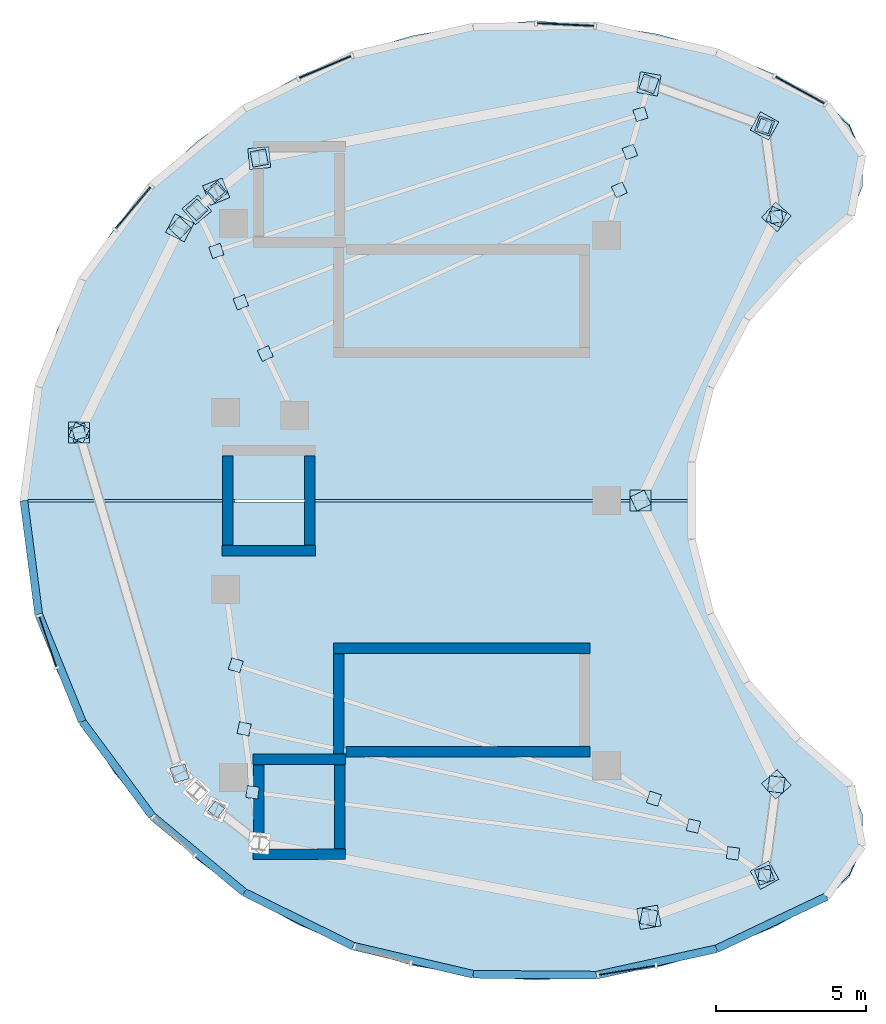
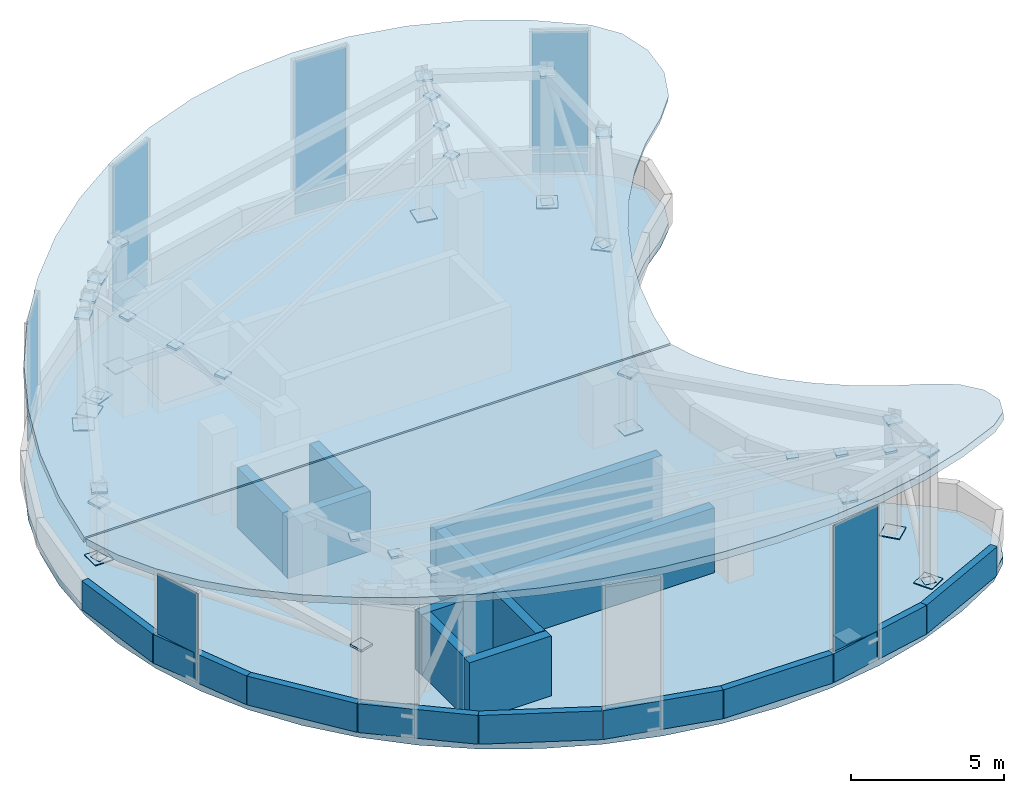
# One storey, part 3 of 4: 56 plates, 19 walls, 3 slabs, 6 elements without a shape of their own.
"""IFC4 building model written with IfcOpenShell, lengths in metres."""

from ifc_helpers import new_model, si_unit, direction, frame, frame_2d, origin, origin_2d, place, context, subcontext, project, spatial, polyline, rectangle, outline, extrude, material, layer, layer_set, type_object, element, aggregate, save


model = new_model("IFC4")

# Units and contexts
model_context = context("Model", 3, precision=1e-05, world=origin(), true_north=direction((0.0, 1.0)))
body_context = subcontext(model_context, "Body", "Model", "MODEL_VIEW")
ifc_project = project(units=[si_unit("LENGTHUNIT", "METRE"), si_unit("AREAUNIT", "SQUARE_METRE"), si_unit("VOLUMEUNIT", "CUBIC_METRE"), si_unit("PLANEANGLEUNIT", "RADIAN"), si_unit("MASSUNIT", "GRAM", prefix="KILO")], contexts=[model_context])

# Site, building, storey
site_placement = place(None, origin())
site = spatial("IfcSite", under=ifc_project, at=site_placement, CompositionType="ELEMENT")
building_placement = place(site_placement, origin())
building = spatial("IfcBuilding", under=site, at=building_placement, Name="Korentha Bioscience Tower", CompositionType="ELEMENT")
storey_placement = place(building_placement, frame((0.0, 0.0, 343.800048828125)))
storey = spatial("IfcBuildingStorey", under=building, at=storey_placement, Name="RF", CompositionType="ELEMENT", Elevation=343.800048828125)

# Slab
ifc_material_1 = material(Name="Concrete C50", Category="concrete")
ifc_layer_1 = layer(ifc_material_1, 0.280029296875, Name="Concrete C50")
ifc_layer_set_1 = layer_set([ifc_layer_1], Name="Concrete C50 (RF-D280)")
slab_type_1 = type_object("IfcSlabType", Name="Crown Mechanical Roof Deck Slab 280", PredefinedType="ROOF", material=ifc_layer_set_1)
slab_1_placement = place(storey_placement, frame((0.0, 0.0, -0.280029296875)))
element("IfcSlab", 1, at=slab_1_placement, inside=storey, type_object=slab_type_1, Name="RF Crown Mechanical Roof Deck Slab", PredefinedType="ROOF", context=body_context, shape_type="SweptSolid", body=[
    extrude(outline(polyline([(44.890380859375, 40.20654296875), (43.113525390625, 41.1796875), (41.2236328125, 41.947998046875), (39.248046875, 42.50048828125), (37.21533203125, 42.829345703125), (35.15478515625, 42.929443359375), (33.09619140625, 42.7998046875), (31.069091796875, 42.441650390625), (29.10302734375, 41.86083984375), (27.226318359375, 41.0654296875), (25.4658203125, 40.06689453125), (23.847412109375, 38.87939453125), (22.393798828125, 37.520751953125), (21.126708984375, 36.010009765625), (20.06396484375, 34.369384765625), (19.220947265625, 32.622314453125), (18.610107421875, 30.793701171875), (18.239990234375, 28.91064453125), (18.115966796875, 27.0), (18.239990234375, 25.08935546875), (18.610107421875, 23.206298828125), (19.220947265625, 21.377685546875), (20.06396484375, 19.630615234375), (21.126708984375, 17.989990234375), (22.393798828125, 16.479248046875), (23.847412109375, 15.12060546875), (25.4658203125, 13.93310546875), (27.226318359375, 12.9345703125), (29.10302734375, 12.13916015625), (31.069091796875, 11.558349609375), (33.09619140625, 11.2001953125), (35.15478515625, 11.070556640625), (37.21533203125, 11.170654296875), (39.248046875, 11.49951171875), (41.2236328125, 12.052001953125), (43.113525390625, 12.8203125), (44.890380859375, 13.79345703125), (45.64990234375, 14.51220703125), (46.0712890625, 15.46923828125), (46.08935546875, 16.514892578125), (45.70068359375, 17.485595703125), (44.966552734375, 18.22998046875), (43.94189453125, 19.016357421875), (43.0205078125, 19.921630859375), (42.216552734375, 20.9326171875), (41.541748046875, 22.03369140625), (41.006103515625, 23.208984375), (40.61767578125, 24.44091796875), (40.38232421875, 25.710693359375), (40.303466796875, 27.0), (40.38232421875, 28.289306640625), (40.61767578125, 29.55908203125), (41.006103515625, 30.791015625), (41.541748046875, 31.96630859375), (42.216552734375, 33.0673828125), (43.0205078125, 34.078369140625), (43.94189453125, 34.983642578125), (44.966552734375, 35.77001953125), (45.70068359375, 36.514404296875), (46.08935546875, 37.485107421875), (46.0712890625, 38.53076171875), (45.64990234375, 39.48779296875), (44.890380859375, 40.20654296875)]), holes=[polyline([(26.199951171875, 15.449951171875), (28.39990234375, 15.449951171875), (28.39990234375, 18.14990234375), (26.199951171875, 18.14990234375), (26.199951171875, 15.449951171875)]), polyline([(26.199951171875, 35.85009765625), (28.39990234375, 35.85009765625), (28.39990234375, 38.550048828125), (26.199951171875, 38.550048828125), (26.199951171875, 35.85009765625)]), polyline([(25.14990234375, 25.550048828125), (27.550048828125, 25.550048828125), (27.550048828125, 28.449951171875), (25.14990234375, 28.449951171875), (25.14990234375, 25.550048828125)])]), origin(), (0.0, 0.0, 1.0), 0.280029296875),
])

# Plates
ifc_material_2 = material(Name="Steel S355", Category="steel")
ifc_layer_2 = layer(ifc_material_2, 0.034912109375, Name="Steel S355")
ifc_layer_set_2 = layer_set([ifc_layer_2], Name="Steel S355 (BP-01)")
plate_type_1 = type_object("IfcPlateType", Name="Crown Strut Base Plate 700x700x35", PredefinedType="USERDEFINED", material=ifc_layer_set_2)
for number, where, z_axis, x_axis, name in (
    (2, (42.8193359375, 39.493896484375, 0.00048828125), (0.0, 0.0, 1.0), (-0.874535078577, 0.484962262797, 0.0), "RF Crown Post Base Plate BP-01"),
    (3, (38.962646484375, 40.898193359375, 0.00048828125), (0.0, 0.0, 1.0), (-0.984868307662, 0.173304404339, 0.0), "RF Crown Post Base Plate BP-02"),
    (4, (25.9658203125, 38.424560546875, 0.00048828125), (0.0, 0.0, 1.0), (0.995462868748, 0.095150811579, 0.0), "RF Crown Post Base Plate BP-03"),
    (5, (24.53271484375, 37.302490234375, 0.00048828125), (0.0, 0.0, 1.0), (0.930225540858, 0.366988341962, 0.0), "RF Crown Post Base Plate BP-04"),
    (6, (23.883056640625, 36.6953125, 0.00048828125), (0.0, 0.0, 1.0), (0.764246456939, 0.644924300253, 0.0), "RF Crown Post Base Plate BP-05"),
    (7, (23.314697265625, 36.097900390625, 0.00048828125), (0.0, 0.0, 1.0), (0.453057191132, 0.891481453292, 0.0), "RF Crown Post Base Plate BP-06"),
    (8, (19.96044921875, 29.26416015625, 0.00048828125), (0.0, 0.0, 1.0), (0.0, 1.0, 0.0), "RF Crown Post Base Plate BP-07"),
    (9, (38.962646484375, 13.101806640625, 0.00048828125), (0.0, 0.0, 1.0), (0.984868307662, 0.173304404339, 0.0), "RF Crown Post Base Plate BP-12"),
    (10, (42.8193359375, 14.506103515625, 0.00048828125), (0.0, 0.0, 1.0), (0.874535078577, 0.484962262797, 0.0), "RF Crown Post Base Plate BP-13"),
    (11, (43.214111328125, 17.532958984375, 0.00048828125), (0.0, 0.0, 1.0), (-0.669130606359, 0.743144825477, 0.0), "RF Crown Post Base Plate BP-14"),
    (12, (38.6865234375, 27.0, 0.00048828125), (0.0, 0.0, 1.0), (0.0, 1.0, 0.0), "RF Crown Post Base Plate BP-15"),
    (13, (43.214111328125, 36.467041015625, 0.00048828125), (0.0, 0.0, 1.0), (0.669130606359, 0.743144825477, 0.0), "RF Crown Post Base Plate BP-16"),
):
    element("IfcPlate", number, at=place(storey_placement, frame(where, z_axis=z_axis, x_axis=x_axis)), inside=storey, type_object=plate_type_1, Name=name, ObjectType="STIFFENER_PLATE", PredefinedType="USERDEFINED", context=body_context, shape_type="SweptSolid", body=[
        extrude(rectangle(XDim=0.699951171875, YDim=0.699951171875, at=origin_2d()), origin(), (0.0, 0.0, 1.0), 0.034912109375),
    ])

# Curtain wall, plates
ifc_material_3 = material(Name="Thermally Broken Aluminium Frame", Category="aluminium")
ifc_layer_3 = layer(ifc_material_3, 0.219970703125, Name="Thermally Broken Aluminium Frame")
ifc_layer_set_3 = layer_set([ifc_layer_3], Name="Thermally Broken Aluminium Frame (CW-C1)")
curtain_wall_type = type_object("IfcCurtainWallType", Name="Stepped Glazed-Frame Crown Curtain Wall CW-C1", PredefinedType="USERDEFINED", material=ifc_layer_set_3)
curtain_wall_1_placement = place(storey_placement, origin())
curtain_wall_1 = element("IfcCurtainWall", 14, at=curtain_wall_1_placement, inside=storey, type_object=curtain_wall_type, Name="RF Crown Curtain Wall 01", ObjectType="CROWN_GLAZING", PredefinedType="USERDEFINED")
ifc_material_4 = material(Name="Triple-Glazed Low-E Insulated Glass", Category="glass")
ifc_layer_4 = layer(ifc_material_4, 0.0439453125, Name="Triple-Glazed Low-E Insulated Glass")
ifc_layer_set_4 = layer_set([ifc_layer_4], Name="Triple-Glazed Low-E Insulated Glass (GL-44)")
plate_type_2 = type_object("IfcPlateType", Name="Glazed Panel 44mm", PredefinedType="CURTAIN_PANEL", material=ifc_layer_set_4)
plate_1_placement = place(storey_placement, frame((44.001953125, 40.693115234375, 0.08984375), z_axis=(0.0, 0.0, 1.0), x_axis=(-0.877088841043, 0.480328184597, 0.0)))
plate_1 = element("IfcPlate", 15, at=plate_1_placement, type_object=plate_type_2, Name="CW-RF-CR-01 Bay 1 Glazed Panel 1", PredefinedType="CURTAIN_PANEL", context=body_context, shape_type="SweptSolid", body=[
    extrude(rectangle(XDim=1.845947265625, YDim=0.0439453125, at=origin_2d()), origin(), (0.0, 0.0, 1.0), 0.715087890625),
])
plate_2_placement = place(storey_placement, frame((44.001953125, 40.693115234375, 0.89501953125), z_axis=(0.0, 0.0, 1.0), x_axis=(-0.877088841043, 0.480328184597, 0.0)))
plate_2 = element("IfcPlate", 16, at=plate_2_placement, type_object=plate_type_2, Name="CW-RF-CR-01 Bay 1 Glazed Panel 2", PredefinedType="CURTAIN_PANEL", context=body_context, shape_type="SweptSolid", body=[
    extrude(rectangle(XDim=1.845947265625, YDim=0.0439453125, at=origin_2d()), origin(), (0.0, 0.0, 1.0), 4.814208984375),
])
aggregate(curtain_wall_1, [plate_1, plate_2])

curtain_wall_2_placement = place(storey_placement, origin())
curtain_wall_2 = element("IfcCurtainWall", 17, at=curtain_wall_2_placement, inside=storey, type_object=curtain_wall_type, Name="RF Crown Curtain Wall 02", ObjectType="CROWN_GLAZING", PredefinedType="USERDEFINED")
plate_3_placement = place(storey_placement, frame((36.18505859375, 42.87939453125, 0.08984375), z_axis=(0.0, 0.0, 1.0), x_axis=(-0.998819818758, 0.048569225393, 0.0)))
plate_3 = element("IfcPlate", 18, at=plate_3_placement, type_object=plate_type_2, Name="CW-RF-CR-02 Bay 1 Glazed Panel 1", PredefinedType="CURTAIN_PANEL", context=body_context, shape_type="SweptSolid", body=[
    extrude(rectangle(XDim=1.883056640625, YDim=0.0439453125, at=origin_2d()), origin(), (0.0, 0.0, 1.0), 0.715087890625),
])
plate_4_placement = place(storey_placement, frame((36.18505859375, 42.87939453125, 0.89501953125), z_axis=(0.0, 0.0, 1.0), x_axis=(-0.998819818758, 0.048569225393, 0.0)))
plate_4 = element("IfcPlate", 19, at=plate_4_placement, type_object=plate_type_2, Name="CW-RF-CR-02 Bay 1 Glazed Panel 2", PredefinedType="CURTAIN_PANEL", context=body_context, shape_type="SweptSolid", body=[
    extrude(rectangle(XDim=1.883056640625, YDim=0.0439453125, at=origin_2d()), origin(), (0.0, 0.0, 1.0), 5.335693359375),
])
aggregate(curtain_wall_2, [plate_3, plate_4])

curtain_wall_3_placement = place(storey_placement, origin())
curtain_wall_3 = element("IfcCurtainWall", 20, at=curtain_wall_3_placement, inside=storey, type_object=curtain_wall_type, Name="RF Crown Curtain Wall 03", ObjectType="CROWN_GLAZING", PredefinedType="USERDEFINED")
plate_5_placement = place(storey_placement, frame((28.16455078125, 41.463134765625, 0.08984375), z_axis=(0.0, 0.0, 1.0), x_axis=(-0.920726030578, -0.390209657255, 0.0)))
plate_5 = element("IfcPlate", 21, at=plate_5_placement, type_object=plate_type_2, Name="CW-RF-CR-03 Bay 1 Glazed Panel 1", PredefinedType="CURTAIN_PANEL", context=body_context, shape_type="SweptSolid", body=[
    extrude(rectangle(XDim=1.8583984375, YDim=0.0439453125, at=origin_2d()), origin(), (0.0, 0.0, 1.0), 0.715087890625),
])
plate_6_placement = place(storey_placement, frame((28.16455078125, 41.463134765625, 0.89501953125), z_axis=(0.0, 0.0, 1.0), x_axis=(-0.920726030578, -0.390209657255, 0.0)))
plate_6 = element("IfcPlate", 22, at=plate_6_placement, type_object=plate_type_2, Name="CW-RF-CR-03 Bay 1 Glazed Panel 2", PredefinedType="CURTAIN_PANEL", context=body_context, shape_type="SweptSolid", body=[
    extrude(rectangle(XDim=1.8583984375, YDim=0.0439453125, at=origin_2d()), origin(), (0.0, 0.0, 1.0), 4.997802734375),
])
aggregate(curtain_wall_3, [plate_5, plate_6])

curtain_wall_4_placement = place(storey_placement, origin())
curtain_wall_4 = element("IfcCurtainWall", 23, at=curtain_wall_4_placement, inside=storey, type_object=curtain_wall_type, Name="RF Crown Curtain Wall 04", ObjectType="CROWN_GLAZING", PredefinedType="USERDEFINED")
plate_7_placement = place(storey_placement, frame((21.76025390625, 36.765380859375, 0.08984375), z_axis=(0.0, 0.0, 1.0), x_axis=(-0.642660280406, -0.766151267041, 0.0)))
plate_7 = element("IfcPlate", 24, at=plate_7_placement, type_object=plate_type_2, Name="CW-RF-CR-04 Bay 1 Glazed Panel 1", PredefinedType="CURTAIN_PANEL", context=body_context, shape_type="SweptSolid", body=[
    extrude(rectangle(XDim=1.791748046875, YDim=0.0439453125, at=origin_2d()), origin(), (0.0, 0.0, 1.0), 0.715087890625),
])
plate_8_placement = place(storey_placement, frame((21.76025390625, 36.765380859375, 0.89501953125), z_axis=(0.0, 0.0, 1.0), x_axis=(-0.642660280406, -0.766151267041, 0.0)))
plate_8 = element("IfcPlate", 25, at=plate_8_placement, type_object=plate_type_2, Name="CW-RF-CR-04 Bay 1 Glazed Panel 2", PredefinedType="CURTAIN_PANEL", context=body_context, shape_type="SweptSolid", body=[
    extrude(rectangle(XDim=1.791748046875, YDim=0.0439453125, at=origin_2d()), origin(), (0.0, 0.0, 1.0), 3.877197265625),
])
aggregate(curtain_wall_4, [plate_7, plate_8])

curtain_wall_5_placement = place(storey_placement, origin())
curtain_wall_5 = element("IfcCurtainWall", 26, at=curtain_wall_5_placement, inside=storey, type_object=curtain_wall_type, Name="RF Crown Curtain Wall 05", ObjectType="CROWN_GLAZING", PredefinedType="USERDEFINED")
plate_9_placement = place(storey_placement, frame((18.91552734375, 22.2919921875, 0.08984375), z_axis=(0.0, 0.0, 1.0), x_axis=(0.316896858972, -0.948460004836, 0.0)))
plate_9 = element("IfcPlate", 27, at=plate_9_placement, type_object=plate_type_2, Name="CW-RF-CR-05 Bay 1 Glazed Panel 1", PredefinedType="CURTAIN_PANEL", context=body_context, shape_type="SweptSolid", body=[
    extrude(rectangle(XDim=1.747802734375, YDim=0.0439453125, at=origin_2d()), origin(), (0.0, 0.0, 1.0), 0.715087890625),
])
plate_10_placement = place(storey_placement, frame((18.91552734375, 22.2919921875, 0.89501953125), z_axis=(0.0, 0.0, 1.0), x_axis=(0.316896858972, -0.948460004836, 0.0)))
plate_10 = element("IfcPlate", 28, at=plate_10_placement, type_object=plate_type_2, Name="CW-RF-CR-05 Bay 1 Glazed Panel 2", PredefinedType="CURTAIN_PANEL", context=body_context, shape_type="SweptSolid", body=[
    extrude(rectangle(XDim=1.747802734375, YDim=0.0439453125, at=origin_2d()), origin(), (0.0, 0.0, 1.0), 2.6708984375),
])
aggregate(curtain_wall_5, [plate_9, plate_10])

curtain_wall_6_placement = place(storey_placement, origin())
curtain_wall_6 = element("IfcCurtainWall", 29, at=curtain_wall_6_placement, inside=storey, type_object=curtain_wall_type, Name="RF Crown Curtain Wall 08", ObjectType="CROWN_GLAZING", PredefinedType="USERDEFINED")
plate_11_placement = place(storey_placement, frame((38.231689453125, 11.3349609375, 0.08984375), z_axis=(0.0, 0.0, 1.0), x_axis=(0.98717651646, 0.1596324696, 0.0)))
plate_11 = element("IfcPlate", 30, at=plate_11_placement, type_object=plate_type_2, Name="CW-RF-CR-08 Bay 1 Glazed Panel 1", PredefinedType="CURTAIN_PANEL", context=body_context, shape_type="SweptSolid", body=[
    extrude(rectangle(XDim=1.879150390625, YDim=0.0439453125, at=origin_2d()), origin(), (0.0, 0.0, 1.0), 0.715087890625),
])
plate_12_placement = place(storey_placement, frame((38.231689453125, 11.3349609375, 0.89501953125), z_axis=(0.0, 0.0, 1.0), x_axis=(0.98717651646, 0.1596324696, 0.0)))
plate_12 = element("IfcPlate", 31, at=plate_12_placement, type_object=plate_type_2, Name="CW-RF-CR-08 Bay 1 Glazed Panel 2", PredefinedType="CURTAIN_PANEL", context=body_context, shape_type="SweptSolid", body=[
    extrude(rectangle(XDim=1.879150390625, YDim=0.0439453125, at=origin_2d()), origin(), (0.0, 0.0, 1.0), 5.28466796875),
])
aggregate(curtain_wall_6, [plate_11, plate_12])

# Plates
ifc_layer_5 = layer(ifc_material_2, 0.080078125, Name="Steel S355")
ifc_layer_set_5 = layer_set([ifc_layer_5], Name="Steel S355 (CP-02)")
plate_type_3 = type_object("IfcPlateType", Name="Hollow Section End Cap Plate 400x400x80", PredefinedType="USERDEFINED", material=ifc_layer_set_5)
for number, where, z_axis, x_axis, name in (
    (32, (42.8193359375, 39.493896484375, -0.0400390625), (0.0, 0.0, 1.0), (-0.939632912698, 0.342184145417, 0.0), "RF Crown Brace 01 End Cap 1"),
    (33, (24.53271484375, 37.302490234375, -0.0400390625), (0.0, 0.0, 1.0), (0.730519937827, 0.682891367963, 0.0), "RF Crown Brace 04 End Cap 1"),
    (34, (19.96044921875, 29.26416015625, -0.0400390625), (0.0, 0.0, 1.0), (-0.2831785086, 0.95906721989, 0.0), "RF Crown Brace 07 End Cap 1"),
    (35, (24.53271484375, 16.697509765625, -0.0400390625), (0.0, 0.0, 1.0), (-0.787473187632, 0.616348909921, 0.0), "RF Crown Brace 10 End Cap 1"),
    (36, (42.8193359375, 14.506103515625, -0.0400390625), (0.0, 0.0, 1.0), (0.129314816705, 0.991603589233, 0.0), "RF Crown Brace 13 End Cap 1"),
    (37, (43.214111328125, 36.467041015625, -0.0400390625), (0.0, 0.0, 1.0), (-0.129314816705, 0.991603589233, 0.0), "RF Crown Brace 16 End Cap 1"),
    (38, (26.169921875, 31.903564453125, 3.537353515625), (0.0, 0.0, 1.0), (0.90755772951, 0.419927336103, 0.0), "RF Purlin 01-N End Cap 1"),
    (39, (37.973876953125, 37.364501953125, 4.840087890625), (0.0, 0.0, 1.0), (0.90755772951, 0.419927336103, 0.0), "RF Purlin 01-N End Cap 2"),
    (40, (25.184814453125, 21.5078125, 3.677734375), (0.0, 0.0, 1.0), (-0.952661481254, 0.304033060925, 0.0), "RF Purlin 01-S End Cap 1"),
    (41, (39.130859375, 17.056884765625, 4.739501953125), (0.0, 0.0, 1.0), (-0.952661481254, 0.304033060925, 0.0), "RF Purlin 01-S End Cap 2"),
    (42, (25.353271484375, 33.614990234375, 3.945556640625), (0.0, 0.0, 1.0), (0.932827815397, 0.3603224484, 0.0), "RF Purlin 02-N End Cap 1"),
    (43, (38.326904296875, 38.626708984375, 5.14111328125), (0.0, 0.0, 1.0), (0.932827815397, 0.3603224484, 0.0), "RF Purlin 02-N End Cap 2"),
    (44, (25.463623046875, 19.388916015625, 4.18310546875), (0.0, 0.0, 1.0), (-0.977378996264, 0.211495384491, 0.0), "RF Purlin 02-S End Cap 1"),
    (45, (40.447998046875, 16.14599609375, 4.95703125), (0.0, 0.0, 1.0), (-0.977378996264, 0.211495384491, 0.0), "RF Purlin 02-S End Cap 2"),
    (46, (24.53662109375, 35.326171875, 4.353759765625), (0.0, 0.0, 1.0), (0.951701633602, 0.307024429971, 0.0), "RF Purlin 03-N End Cap 1"),
    (47, (38.68017578125, 39.888671875, 5.442138671875), (0.0, 0.0, 1.0), (0.951701633602, 0.307024429971, 0.0), "RF Purlin 03-N End Cap 2"),
    (48, (25.74267578125, 17.2705078125, 4.688720703125), (0.0, 0.0, 1.0), (-0.992026960446, 0.126025829689, 0.0), "RF Purlin 03-S End Cap 1"),
    (49, (41.765380859375, 15.235107421875, 5.17431640625), (0.0, 0.0, 1.0), (-0.992026960446, 0.126025829689, 0.0), "RF Purlin 03-S End Cap 2"),
):
    element("IfcPlate", number, at=place(storey_placement, frame(where, z_axis=z_axis, x_axis=x_axis)), inside=storey, type_object=plate_type_3, Name=name, ObjectType="CAP_PLATE", PredefinedType="USERDEFINED", context=body_context, shape_type="SweptSolid", body=[
        extrude(rectangle(XDim=0.39990234375, YDim=0.39990234375, at=origin_2d()), origin(), (0.0, 0.0, 1.0), 0.080078125),
    ])
ifc_layer_6 = layer(ifc_material_2, 0.080078125, Name="Steel S355")
ifc_layer_set_6 = layer_set([ifc_layer_6], Name="Steel S355 (CP-01)")
plate_type_4 = type_object("IfcPlateType", Name="Hollow Section End Cap Plate 520x520x80", PredefinedType="USERDEFINED", material=ifc_layer_set_6)
for number, where, z_axis, x_axis, name in (
    (50, (42.8193359375, 39.493896484375, 5.173095703125), (0.0, 0.0, 1.0), (-0.939632912698, 0.342184145417, 0.0), "RF Crown Ring 01 End Cap 1"),
    (51, (38.962646484375, 40.898193359375, 5.508056640625), (0.0, 0.0, 1.0), (-0.939632912698, 0.342184145417, 0.0), "RF Crown Ring 01 End Cap 2"),
    (52, (25.9658203125, 38.424560546875, 4.91796875), (0.0, 0.0, 1.0), (0.982352599301, 0.187038420242, 0.0), "RF Crown Ring 02 End Cap 2"),
    (53, (24.53271484375, 37.302490234375, 4.650390625), (0.0, 0.0, 1.0), (0.787473187632, 0.616348909921, 0.0), "RF Crown Ring 03 End Cap 2"),
    (54, (23.883056640625, 36.6953125, 4.50537109375), (0.0, 0.0, 1.0), (0.730519937827, 0.682891367963, 0.0), "RF Crown Ring 04 End Cap 2"),
    (55, (23.314697265625, 36.097900390625, 4.36279296875), (0.0, 0.0, 1.0), (0.689240273721, 0.724532846102, 0.0), "RF Crown Ring 05 End Cap 2"),
    (56, (19.96044921875, 29.26416015625, 2.732666015625), (0.0, 0.0, 1.0), (0.440566004113, 0.897720221461, 0.0), "RF Crown Ring 06 End Cap 2"),
    (57, (19.96044921875, 29.26416015625, 2.192626953125), (0.0, 0.0, 1.0), (-0.2831785086, 0.95906721989, 0.0), "RF Crown Ring 07 End Cap 1"),
    (58, (23.314697265625, 17.902099609375, 2.192626953125), (0.0, 0.0, 1.0), (-0.2831785086, 0.95906721989, 0.0), "RF Crown Ring 07 End Cap 2"),
    (59, (38.962646484375, 13.101806640625, 5.508056640625), (0.0, 0.0, 1.0), (-0.982352599301, 0.187038420242, 0.0), "RF Crown Ring 11 End Cap 2"),
    (60, (42.8193359375, 14.506103515625, 5.173095703125), (0.0, 0.0, 1.0), (0.939632912698, 0.342184145417, 0.0), "RF Crown Ring 12 End Cap 2"),
    (61, (43.214111328125, 17.532958984375, 4.450927734375), (0.0, 0.0, 1.0), (0.129314816705, 0.991603589233, 0.0), "RF Crown Ring 13 End Cap 2"),
    (62, (38.6865234375, 27.0, 2.192626953125), (0.0, 0.0, 1.0), (-0.431456045681, 0.902133959368, 0.0), "RF Crown Ring 14 End Cap 2"),
    (63, (43.214111328125, 36.467041015625, 4.450927734375), (0.0, 0.0, 1.0), (0.431456045681, 0.902133959368, 0.0), "RF Crown Ring 15 End Cap 2"),
):
    element("IfcPlate", number, at=place(storey_placement, frame(where, z_axis=z_axis, x_axis=x_axis)), inside=storey, type_object=plate_type_4, Name=name, ObjectType="CAP_PLATE", PredefinedType="USERDEFINED", context=body_context, shape_type="SweptSolid", body=[
        extrude(rectangle(XDim=0.52001953125, YDim=0.52001953125, at=origin_2d()), origin(), (0.0, 0.0, 1.0), 0.080078125),
    ])

# Slabs
ifc_material_5 = material(Name="Precast Concrete C50", Category="concrete")
ifc_layer_7 = layer(ifc_material_5, 0.260009765625, Name="Precast Concrete C50")
ifc_layer_set_7 = layer_set([ifc_layer_7], Name="Precast Concrete C50 (RF-S260)")
slab_type_2 = type_object("IfcSlabType", Name="Sloped Glazed-Frame Crest Roof Slab 260", PredefinedType="ROOF", material=ifc_layer_set_7)
slab_2_placement = place(storey_placement, frame((18.11865234375, 27.0400390625, 2.8095703125), z_axis=(-7.81938e-07, -0.232036297489, 0.972707127889), x_axis=(1.0, -1.81438e-07, 7.60597e-07)))
element("IfcSlab", 64, at=slab_2_placement, inside=storey, type_object=slab_type_2, Name="RF Sloped Crest Roof Wing NORTH", PredefinedType="ROOF", context=body_context, shape_type="SweptSolid", body=[
    extrude(outline(polyline([(0.0, 0.0), (22.187255859375, 0.0), (22.263671875, 1.2841796875), (22.4990234375, 2.589599609375), (22.887451171875, 3.856201171875), (23.423095703125, 5.064453125), (24.097900390625, 6.196533203125), (24.90185546875, 7.23583984375), (25.8232421875, 8.16650390625), (26.847900390625, 8.974853515625), (27.58203125, 9.740234375), (27.970703125, 10.738037109375), (27.95263671875, 11.813232421875), (27.53125, 12.797119140625), (26.771728515625, 13.535888671875), (24.994873046875, 14.536376953125), (23.10498046875, 15.326171875), (21.12939453125, 15.894287109375), (19.0966796875, 16.232421875), (17.0361328125, 16.335205078125), (14.9775390625, 16.201904296875), (12.950439453125, 15.833740234375), (10.984375, 15.236572265625), (9.107666015625, 14.4189453125), (7.34716796875, 13.392333984375), (5.728759765625, 12.171630859375), (4.275146484375, 10.774658203125), (3.008056640625, 9.2216796875), (1.9453125, 7.534912109375), (1.102294921875, 5.73876953125), (0.491455078125, 3.85888671875), (0.121337890625, 1.923095703125), (0.0, 0.0)])), origin(), (0.0, 0.0, -1.0), 0.260009765625),
])
slab_3_placement = place(storey_placement, frame((40.305908203125, 26.9599609375, 2.8095703125), z_axis=(-7.81938e-07, 0.232036297489, 0.972707127889), x_axis=(-1.0, -1.81438e-07, -7.60597e-07)))
element("IfcSlab", 65, at=slab_3_placement, inside=storey, type_object=slab_type_2, Name="RF Sloped Crest Roof Wing SOUTH", PredefinedType="ROOF", context=body_context, shape_type="SweptSolid", body=[
    extrude(outline(polyline([(0.0, 0.0), (22.187255859375, 0.0), (22.06591796875, 1.923095703125), (21.69580078125, 3.85888671875), (21.0849609375, 5.73876953125), (20.241943359375, 7.534912109375), (19.17919921875, 9.2216796875), (17.912109375, 10.774658203125), (16.45849609375, 12.171630859375), (14.840087890625, 13.392333984375), (13.07958984375, 14.4189453125), (11.202880859375, 15.236572265625), (9.23681640625, 15.833740234375), (7.209716796875, 16.201904296875), (5.151123046875, 16.335205078125), (3.090576171875, 16.232421875), (1.057861328125, 15.894287109375), (-0.917724609375, 15.326171875), (-2.8076171875, 14.536376953125), (-4.58447265625, 13.535888671875), (-5.343994140625, 12.797119140625), (-5.765380859375, 11.813232421875), (-5.783447265625, 10.738037109375), (-5.394775390625, 9.740234375), (-4.66064453125, 8.974853515625), (-3.635986328125, 8.16650390625), (-2.714599609375, 7.23583984375), (-1.91064453125, 6.196533203125), (-1.23583984375, 5.064453125), (-0.7001953125, 3.856201171875), (-0.311767578125, 2.589599609375), (-0.076416015625, 1.2841796875), (0.0, 0.0)])), origin(), (0.0, 0.0, -1.0), 0.260009765625),
])

# Walls
ifc_material_6 = material(Name="Honed Limestone Precast Concrete C40", Category="masonry")
ifc_layer_8 = layer(ifc_material_6, 0.260009765625, Name="Honed Limestone Precast Concrete C40")
ifc_layer_set_8 = layer_set([ifc_layer_8], Name="Honed Limestone Precast Concrete C40 (EW-P260)")
wall_type_1 = type_object("IfcWallType", Name="Limestone Capped Roof Parapet Wall 260", PredefinedType="PARAPET", material=ifc_layer_set_8)
wall_1_placement = place(storey_placement, frame((18.115966796875, 27.0, 0.0), z_axis=(0.0, 0.0, 1.0), x_axis=(0.129161851813, -0.991623525354, 0.0)))
element("IfcWall", 66, at=wall_1_placement, inside=storey, type_object=wall_type_1, Name="RF Limestone Roof Parapet 10", PredefinedType="PARAPET", context=body_context, shape_type="SweptSolid", body=[
    extrude(rectangle(XDim=3.82568359375, YDim=0.260009765625, at=frame_2d((1.912841796875, 0.0))), origin(), (0.0, 0.0, 1.0), 1.14990234375),
])
wall_2_placement = place(storey_placement, frame((18.610107421875, 23.206298828125, 0.0), z_axis=(0.0, 0.0, 1.0), x_axis=(0.376651872277, -0.926354881841, 0.0)))
element("IfcWall", 67, at=wall_2_placement, inside=storey, type_object=wall_type_1, Name="RF Limestone Roof Parapet 11", PredefinedType="PARAPET", context=body_context, shape_type="SweptSolid", body=[
    extrude(rectangle(XDim=3.85986328125, YDim=0.260009765625, at=frame_2d((1.929931640625, 0.0))), origin(), (0.0, 0.0, 1.0), 1.14990234375),
])
wall_3_placement = place(storey_placement, frame((20.06396484375, 19.630615234375, 0.0), z_axis=(0.0, 0.0, 1.0), x_axis=(0.594483890804, -0.804107519909, 0.0)))
element("IfcWall", 68, at=wall_3_placement, inside=storey, type_object=wall_type_1, Name="RF Limestone Roof Parapet 12", PredefinedType="PARAPET", context=body_context, shape_type="SweptSolid", body=[
    extrude(rectangle(XDim=3.919189453125, YDim=0.260009765625, at=frame_2d((1.95947265625, 0.0))), origin(), (0.0, 0.0, 1.0), 1.14990234375),
])
wall_4_placement = place(storey_placement, frame((22.393798828125, 16.479248046875, 0.0), z_axis=(0.0, 0.0, 1.0), x_axis=(0.769928793395, -0.638129808974, 0.0)))
element("IfcWall", 69, at=wall_4_placement, inside=storey, type_object=wall_type_1, Name="RF Limestone Roof Parapet 13", PredefinedType="PARAPET", context=body_context, shape_type="SweptSolid", body=[
    extrude(rectangle(XDim=3.989990234375, YDim=0.260009765625, at=frame_2d((1.9951171875, 0.0))), origin(), (0.0, 0.0, 1.0), 1.14990234375),
])
wall_5_placement = place(storey_placement, frame((25.4658203125, 13.93310546875, 0.0), z_axis=(0.0, 0.0, 1.0), x_axis=(0.896846008073, -0.442342896182, 0.0)))
element("IfcWall", 70, at=wall_5_placement, inside=storey, type_object=wall_type_1, Name="RF Limestone Roof Parapet 14", PredefinedType="PARAPET", context=body_context, shape_type="SweptSolid", body=[
    extrude(rectangle(XDim=4.0556640625, YDim=0.260009765625, at=frame_2d((2.02783203125, 0.0))), origin(), (0.0, 0.0, 1.0), 1.14990234375),
])
wall_6_placement = place(storey_placement, frame((29.10302734375, 12.13916015625, 0.0), z_axis=(0.0, 0.0, 1.0), x_axis=(0.973449941156, -0.228900004505, 0.0)))
element("IfcWall", 71, at=wall_6_placement, inside=storey, type_object=wall_type_1, Name="RF Limestone Roof Parapet 15", PredefinedType="PARAPET", context=body_context, shape_type="SweptSolid", body=[
    extrude(rectangle(XDim=4.10205078125, YDim=0.260009765625, at=frame_2d((2.051025390625, 0.0))), origin(), (0.0, 0.0, 1.0), 1.14990234375),
])
wall_7_placement = place(storey_placement, frame((33.09619140625, 11.2001953125, 0.0), z_axis=(0.0, 0.0, 1.0), x_axis=(0.999974284744, -0.007171460909, 0.0)))
element("IfcWall", 72, at=wall_7_placement, inside=storey, type_object=wall_type_1, Name="RF Limestone Roof Parapet 16", PredefinedType="PARAPET", context=body_context, shape_type="SweptSolid", body=[
    extrude(rectangle(XDim=4.119140625, YDim=0.260009765625, at=frame_2d((2.0595703125, 0.0))), origin(), (0.0, 0.0, 1.0), 1.14990234375),
])
wall_8_placement = place(storey_placement, frame((37.21533203125, 11.170654296875, 0.0), z_axis=(0.0, 0.0, 1.0), x_axis=(0.976668927268, 0.214750568123, 0.0)))
element("IfcWall", 73, at=wall_8_placement, inside=storey, type_object=wall_type_1, Name="RF Limestone Roof Parapet 17", PredefinedType="PARAPET", context=body_context, shape_type="SweptSolid", body=[
    extrude(rectangle(XDim=4.10400390625, YDim=0.260009765625, at=frame_2d((2.052001953125, 0.0))), origin(), (0.0, 0.0, 1.0), 1.14990234375),
])
wall_9_placement = place(storey_placement, frame((41.2236328125, 12.052001953125, 0.0), z_axis=(0.0, 0.0, 1.0), x_axis=(0.9033013949, 0.429006515069, 0.0)))
element("IfcWall", 74, at=wall_9_placement, inside=storey, type_object=wall_type_1, Name="RF Limestone Roof Parapet 18", PredefinedType="PARAPET", context=body_context, shape_type="SweptSolid", body=[
    extrude(rectangle(XDim=4.059326171875, YDim=0.260009765625, at=frame_2d((2.02978515625, 0.0))), origin(), (0.0, 0.0, 1.0), 1.14990234375),
])
ifc_layer_9 = layer(ifc_material_1, 0.35009765625, Name="Concrete C50")
ifc_layer_set_9 = layer_set([ifc_layer_9], Name="Concrete C50 (CW-C50)")
wall_type_2 = type_object("IfcWallType", Name="Upper Core Shear Wall 350", PredefinedType="SHEAR", material=ifc_layer_set_9)
for number, where, z_axis, x_axis, name in (
    (75, (25.75, 15.199951171875, 0.0), (0.0, 0.0, 1.0), (1.0, 0.0, 0.0), "RF Lift Overrun Wall FFL1-S"),
    (76, (25.75, 18.3798828125, 0.0), (0.0, 0.0, 1.0), (1.0, 0.0, 0.0), "RF Lift Overrun Wall FFL1-N"),
):
    element("IfcWall", number, at=place(storey_placement, frame(where, z_axis=z_axis, x_axis=x_axis)), inside=storey, type_object=wall_type_2, Name=name, PredefinedType="SHEAR", context=body_context, shape_type="SweptSolid", body=[
        extrude(rectangle(XDim=3.10009765625, YDim=0.35009765625, at=frame_2d((1.550048828125, 0.0))), origin(), (0.0, 0.0, 1.0), 2.39990234375),
    ])
for number, where, z_axis, x_axis, name in (
    (77, (25.949951171875, 15.39990234375, 0.0), (0.0, 0.0, 1.0), (0.0, 1.0, 0.0), "RF Lift Overrun Wall FFL1-W"),
    (78, (28.64990234375, 15.39990234375, 0.0), (0.0, 0.0, 1.0), (0.0, 1.0, 0.0), "RF Lift Overrun Wall FFL1-E"),
):
    element("IfcWall", number, at=place(storey_placement, frame(where, z_axis=z_axis, x_axis=x_axis)), inside=storey, type_object=wall_type_2, Name=name, PredefinedType="SHEAR", context=body_context, shape_type="SweptSolid", body=[
        extrude(rectangle(XDim=2.780029296875, YDim=0.35009765625, at=frame_2d((1.39013671875, 0.0))), origin(), (0.0, 0.0, 1.0), 2.39990234375),
    ])
wall_10_placement = place(storey_placement, frame((24.719970703125, 25.320068359375, 0.0), z_axis=(0.0, 0.0, 1.0), x_axis=(1.0, 0.0, 0.0)))
element("IfcWall", 79, at=wall_10_placement, inside=storey, type_object=wall_type_2, Name="RF Lift Overrun Wall SVL1-S", PredefinedType="SHEAR", context=body_context, shape_type="SweptSolid", body=[
    extrude(rectangle(XDim=3.130126953125, YDim=0.35009765625, at=frame_2d((1.56494140625, 0.0))), origin(), (0.0, 0.0, 1.0), 2.39990234375),
])
for number, where, z_axis, x_axis, name in (
    (80, (24.919921875, 25.52001953125, 0.0), (0.0, 0.0, 1.0), (0.0, 1.0, 0.0), "RF Lift Overrun Wall SVL1-W"),
    (81, (27.64990234375, 25.52001953125, 0.0), (0.0, 0.0, 1.0), (0.0, 1.0, 0.0), "RF Lift Overrun Wall SVL1-E"),
):
    element("IfcWall", number, at=place(storey_placement, frame(where, z_axis=z_axis, x_axis=x_axis)), inside=storey, type_object=wall_type_2, Name=name, PredefinedType="SHEAR", context=body_context, shape_type="SweptSolid", body=[
        extrude(rectangle(XDim=2.9599609375, YDim=0.35009765625, at=frame_2d((1.47998046875, 0.0))), origin(), (0.0, 0.0, 1.0), 2.39990234375),
    ])
wall_11_placement = place(storey_placement, frame((28.85205078125, 18.625, 0.0), z_axis=(0.0, 0.0, 1.0), x_axis=(1.0, 0.0, 0.0)))
element("IfcWall", 82, at=wall_11_placement, inside=storey, type_object=wall_type_2, Name="RF Maintenance Headhouse Shear Wall ST2-S", PredefinedType="SHEAR", context=body_context, shape_type="SweptSolid", body=[
    extrude(rectangle(XDim=8.14794921875, YDim=0.35009765625, at=frame_2d((4.073974609375, 0.0))), origin(), (0.0, 0.0, 1.0), 2.599853515625),
])
wall_12_placement = place(storey_placement, frame((28.449951171875, 22.074951171875, 0.0), z_axis=(0.0, 0.0, 1.0), x_axis=(1.0, 0.0, 0.0)))
element("IfcWall", 83, at=wall_12_placement, inside=storey, type_object=wall_type_2, Name="RF Maintenance Headhouse Shear Wall ST2-N", PredefinedType="SHEAR", context=body_context, shape_type="SweptSolid", body=[
    extrude(rectangle(XDim=8.550048828125, YDim=0.35009765625, at=frame_2d((4.27490234375, 0.0))), origin(), (0.0, 0.0, 1.0), 2.599853515625),
])
wall_13_placement = place(storey_placement, frame((28.625, 18.556884765625, 0.0), z_axis=(0.0, 0.0, 1.0), x_axis=(0.0, 1.0, 0.0)))
element("IfcWall", 84, at=wall_13_placement, inside=storey, type_object=wall_type_2, Name="RF Maintenance Headhouse Shear Wall ST2-W", PredefinedType="SHEAR", context=body_context, shape_type="SweptSolid", body=[
    extrude(rectangle(XDim=3.3330078125, YDim=0.35009765625, at=frame_2d((1.66650390625, 0.0))), origin(), (0.0, 0.0, 1.0), 2.599853515625),
])

save(model, "model.ifc")
